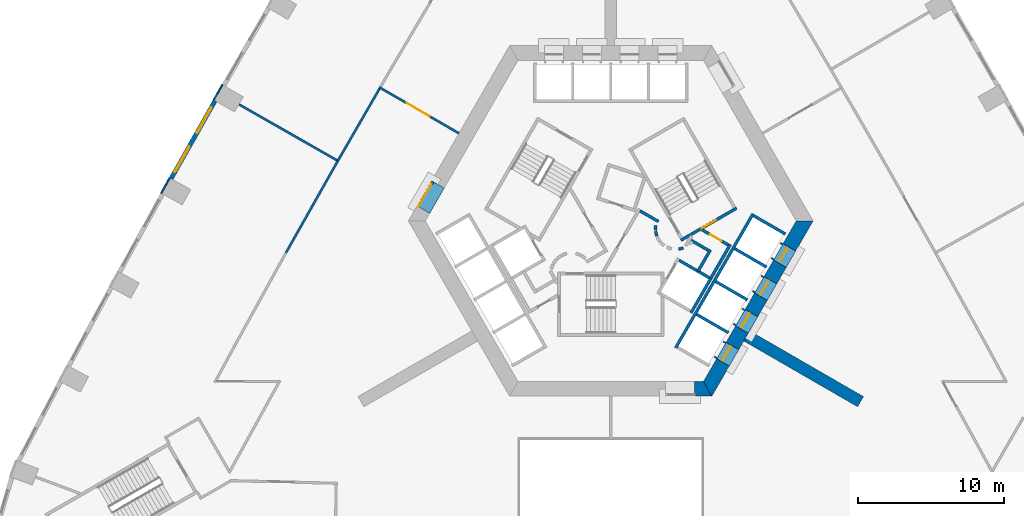
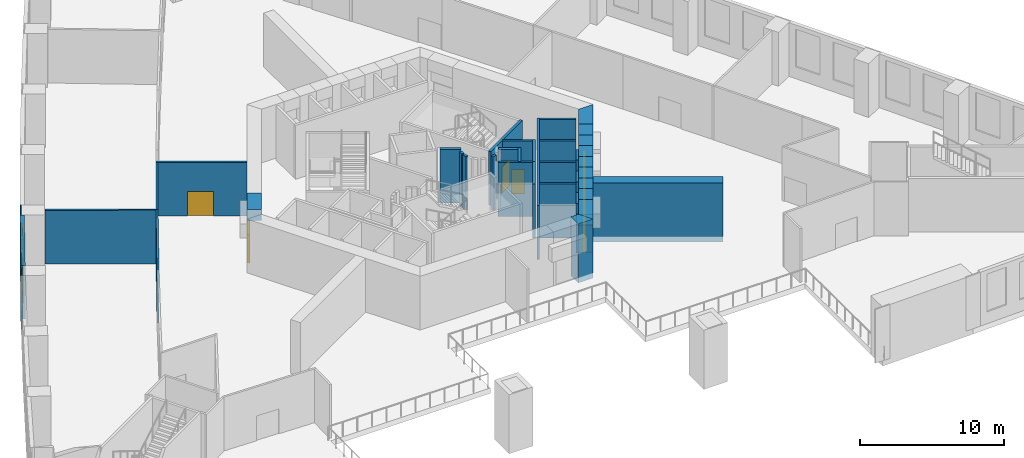
# One storey, part 4 of 16: 40 walls, 8 doors, 2 windows, 10 openings.
"""IFC4 building model written with IfcOpenShell, lengths in metres."""

from ifc_helpers import new_model, si_unit, direction, frame, frame_2d, origin, place, context, subcontext, project, spatial, polyline, rectangle, outline, extrude, material, layer, layer_set, type_object, element, fill, save


model = new_model("IFC4")

# Units and contexts
model_context = context("Model", 3, precision=1e-05, world=origin(), true_north=direction((0.0, 1.0)))
body_context = subcontext(model_context, "Body", "Model", "MODEL_VIEW")
ifc_project = project(units=[si_unit("LENGTHUNIT", "METRE"), si_unit("AREAUNIT", "SQUARE_METRE"), si_unit("VOLUMEUNIT", "CUBIC_METRE"), si_unit("PLANEANGLEUNIT", "RADIAN"), si_unit("MASSUNIT", "GRAM", prefix="KILO")], contexts=[model_context])

# Site, building, storey
site_placement = place(None, origin())
site = spatial("IfcSite", under=ifc_project, at=site_placement, CompositionType="ELEMENT")
building_placement = place(site_placement, origin())
building = spatial("IfcBuilding", under=site, at=building_placement, Name="Entoto Arch Interchange Tower", CompositionType="ELEMENT")
storey_placement = place(building_placement, frame((0.0, 0.0, 15.0)))
storey = spatial("IfcBuildingStorey", under=building, at=storey_placement, Name="L02", CompositionType="ELEMENT", Elevation=15.0)

# Wall
ifc_material_1 = material(Name="Concrete C60/75", Category="concrete")
ifc_layer_1 = layer(ifc_material_1, 0.800048828125)
ifc_layer_set_1 = layer_set([ifc_layer_1], Name="Concrete C60/75")
wall_type_1 = type_object("IfcWallType", Name="Buttress wall 800 C60/75", PredefinedType="SHEAR", material=ifc_layer_set_1)
wall_1_placement = place(storey_placement, frame((9.31005859375, -5.375, -0.449951171875), z_axis=(0.0, 0.0, 1.0), x_axis=(0.866017533419, -0.500013631625, 0.0)))
element("IfcWall", 1, at=wall_1_placement, inside=storey, type_object=wall_type_1, Name="Buttress wall SE L02", PredefinedType="SHEAR", context=body_context, shape_type="SweptSolid", body=[
    extrude(rectangle(XDim=8.999755859375, YDim=0.800048828125, at=frame_2d((4.5, 0.0))), origin(), (0.0, 0.0, 1.0), 5.0),
])

# Wall, opening, door
ifc_material_2 = material(Name="Reinforced concrete C40/50", Category="concrete")
ifc_layer_2 = layer(ifc_material_2, 0.199951171875)
ifc_layer_set_2 = layer_set([ifc_layer_2], Name="Reinforced concrete C40/50")
wall_type_2 = type_object("IfcWallType", Name="CORE GAP INFILL WALL", PredefinedType="PARTITIONING", material=ifc_layer_set_2)
wall_2_placement = place(storey_placement, frame((-12.179931640625, 5.201904296875, 0.0), z_axis=(0.0, 0.0, 1.0), x_axis=(-0.50002537861, -0.866010750942, 0.0)))
wall_2 = element("IfcWall", 2, at=wall_2_placement, inside=storey, type_object=wall_type_2, Name="wall:L02:gap3", PredefinedType="PARTITIONING", context=body_context, shape_type="SweptSolid", body=[
    extrude(rectangle(XDim=2.0, YDim=0.199951171875, at=frame_2d((1.0, 0.0))), origin(), (0.0, 0.0, 1.0), 2.39990234375),
])
opening_1_placement = place(wall_2_placement, frame((0.18994140625, 0.0, 0.0)))
opening_1 = element("IfcOpeningElement", 3, at=opening_1_placement, cuts=wall_2, Name="Opening L02-D93", PredefinedType="OPENING", context=body_context, shape_type="SweptSolid", body=[
    extrude(rectangle(XDim=1.800048828125, YDim=2.10009765625, at=frame_2d((0.89990234375, 1.050048828125))), frame((0.0, 0.10986328125, 0.0), z_axis=(0.0, -1.0, 0.0), x_axis=(1.0, 0.0, 0.0)), (0.0, 0.0, 1.0), 0.219970703125),
])
ifc_material_3 = material(Name="Fire-rated Steel S235 door and frame", Category="steel")
door_type_1 = type_object("IfcDoorType", Name="DOOR FD-18 1800x2100", OperationType="DOUBLE_DOOR_SINGLE_SWING", PredefinedType="DOOR", material=ifc_material_3)
door_1_placement = place(opening_1_placement, origin())
door_1 = element("IfcDoor", 4, at=door_1_placement, inside=storey, type_object=door_type_1, Name="door:L02:gap3", OperationType="DOUBLE_DOOR_SINGLE_SWING", OverallHeight=2.10009765625, OverallWidth=1.800048828125, PredefinedType="DOOR", context=body_context, shape_type="SweptSolid", body=[
    extrude(rectangle(XDim=1.800048828125, YDim=2.10009765625, at=frame_2d((0.89990234375, 1.050048828125))), frame((0.0, 0.02490234375, 0.0), z_axis=(0.0, -1.0, 0.0), x_axis=(1.0, 0.0, 0.0)), (0.0, 0.0, 1.0), 0.050048828125),
])
fill(opening_1, door_1)

# Walls
ifc_layer_3 = layer(ifc_material_1, 1.0)
ifc_layer_set_3 = layer_set([ifc_layer_3], Name="Concrete C60/75")
wall_type_3 = type_object("IfcWallType", Name="Core wall 1000 C60/75", PredefinedType="SHEAR", material=ifc_layer_set_3)
wall_3_placement = place(storey_placement, frame((0.0, 0.0, 3.60009765625)))
element("IfcWall", 5, at=wall_3_placement, inside=storey, type_object=wall_type_3, Name="Core wall lintel NW L02", PredefinedType="SHEAR", context=body_context, shape_type="SweptSolid", body=[
    extrude(outline(polyline([(-13.26708984375, 3.52001953125), (-12.402099609375, 3.02001953125), (-11.402099609375, 4.751953125), (-12.26708984375, 5.251953125), (-13.26708984375, 3.52001953125)])), origin(), (0.0, 0.0, 1.0), 0.949951171875),
])
wall_4_placement = place(storey_placement, frame((0.0, 0.0, -0.449951171875)))
element("IfcWall", 6, at=wall_4_placement, inside=storey, type_object=wall_type_3, Name="Core wall S L02", PredefinedType="SHEAR", context=body_context, shape_type="SweptSolid", body=[
    extrude(outline(polyline([(5.75, -8.5), (5.75, -9.5), (6.927978515625, -9.5), (6.35107421875, -8.5), (5.75, -8.5)])), origin(), (0.0, 0.0, 1.0), 5.0),
])
wall_5_placement = place(storey_placement, frame((0.0, 0.0, -0.449951171875)))
element("IfcWall", 7, at=wall_5_placement, inside=storey, type_object=wall_type_3, Name="Core wall SE L02", PredefinedType="SHEAR", context=body_context, shape_type="SweptSolid", body=[
    extrude(outline(polyline([(8.116943359375, -7.43994140625), (7.251953125, -6.93994140625), (6.35107421875, -8.5), (6.927978515625, -9.5), (8.116943359375, -7.43994140625)])), origin(), (0.0, 0.0, 1.0), 5.0),
])
wall_6_placement = place(storey_placement, frame((0.0, 0.0, -0.449951171875)))
element("IfcWall", 8, at=wall_6_placement, inside=storey, type_object=wall_type_3, Name="Core wall SE L02", PredefinedType="SHEAR", context=body_context, shape_type="SweptSolid", body=[
    extrude(outline(polyline([(9.4169921875, -5.18896484375), (8.551025390625, -4.68896484375), (7.902099609375, -5.81396484375), (8.76708984375, -6.31396484375), (9.4169921875, -5.18896484375)])), origin(), (0.0, 0.0, 1.0), 5.0),
])
wall_7_placement = place(storey_placement, frame((0.0, 0.0, -0.449951171875)))
element("IfcWall", 9, at=wall_7_placement, inside=storey, type_object=wall_type_3, Name="Core wall SE L02", PredefinedType="SHEAR", context=body_context, shape_type="SweptSolid", body=[
    extrude(outline(polyline([(10.717041015625, -2.93701171875), (9.85107421875, -2.43701171875), (9.200927734375, -3.56298828125), (10.06689453125, -4.06298828125), (10.717041015625, -2.93701171875)])), origin(), (0.0, 0.0, 1.0), 5.0),
])
wall_8_placement = place(storey_placement, frame((0.0, 0.0, -0.449951171875)))
element("IfcWall", 10, at=wall_8_placement, inside=storey, type_object=wall_type_3, Name="Core wall SE L02", PredefinedType="SHEAR", context=body_context, shape_type="SweptSolid", body=[
    extrude(outline(polyline([(12.01708984375, -0.68603515625), (11.15087890625, -0.18603515625), (10.5009765625, -1.31103515625), (11.366943359375, -1.81103515625), (12.01708984375, -0.68603515625)])), origin(), (0.0, 0.0, 1.0), 5.0),
])
wall_9_placement = place(storey_placement, frame((0.0, 0.0, -0.449951171875)))
element("IfcWall", 11, at=wall_9_placement, inside=storey, type_object=wall_type_3, Name="Core wall SE L02", PredefinedType="SHEAR", context=body_context, shape_type="SweptSolid", body=[
    extrude(outline(polyline([(11.801025390625, 0.93994140625), (12.6669921875, 0.43994140625), (13.85595703125, 2.5), (12.701904296875, 2.5), (11.801025390625, 0.93994140625)])), origin(), (0.0, 0.0, 1.0), 5.0),
])
wall_10_placement = place(storey_placement, frame((0.0, 0.0, 3.60009765625)))
element("IfcWall", 12, at=wall_10_placement, inside=storey, type_object=wall_type_3, Name="Core wall lintel SE L02", PredefinedType="SHEAR", context=body_context, shape_type="SweptSolid", body=[
    extrude(outline(polyline([(8.76708984375, -6.31396484375), (7.902099609375, -5.81396484375), (7.251953125, -6.93994140625), (8.116943359375, -7.43994140625), (8.76708984375, -6.31396484375)])), origin(), (0.0, 0.0, 1.0), 0.949951171875),
])
wall_11_placement = place(storey_placement, frame((0.0, 0.0, 3.60009765625)))
element("IfcWall", 13, at=wall_11_placement, inside=storey, type_object=wall_type_3, Name="Core wall lintel SE L02", PredefinedType="SHEAR", context=body_context, shape_type="SweptSolid", body=[
    extrude(outline(polyline([(10.06689453125, -4.06298828125), (9.200927734375, -3.56298828125), (8.551025390625, -4.68896484375), (9.4169921875, -5.18896484375), (10.06689453125, -4.06298828125)])), origin(), (0.0, 0.0, 1.0), 0.949951171875),
])
wall_12_placement = place(storey_placement, frame((0.0, 0.0, 3.60009765625)))
element("IfcWall", 14, at=wall_12_placement, inside=storey, type_object=wall_type_3, Name="Core wall lintel SE L02", PredefinedType="SHEAR", context=body_context, shape_type="SweptSolid", body=[
    extrude(outline(polyline([(11.366943359375, -1.81103515625), (10.5009765625, -1.31103515625), (9.85107421875, -2.43701171875), (10.717041015625, -2.93701171875), (11.366943359375, -1.81103515625)])), origin(), (0.0, 0.0, 1.0), 0.949951171875),
])
wall_13_placement = place(storey_placement, frame((0.0, 0.0, 3.60009765625)))
element("IfcWall", 15, at=wall_13_placement, inside=storey, type_object=wall_type_3, Name="Core wall lintel SE L02", PredefinedType="SHEAR", context=body_context, shape_type="SweptSolid", body=[
    extrude(outline(polyline([(12.6669921875, 0.43994140625), (11.801025390625, 0.93994140625), (11.15087890625, -0.18603515625), (12.01708984375, -0.68603515625), (12.6669921875, 0.43994140625)])), origin(), (0.0, 0.0, 1.0), 0.949951171875),
])

# Wall, opening, door
ifc_material_4 = material(Name="Concrete C40/50", Category="concrete")
ifc_layer_4 = layer(ifc_material_4, 1.199951171875)
ifc_layer_set_4 = layer_set([ifc_layer_4], Name="Concrete C40/50")
wall_type_4 = type_object("IfcWallType", Name="LIFT LANDING INFILL WALL", PredefinedType="STANDARD", material=ifc_layer_set_4)
wall_14_placement = place(storey_placement, frame((7.597900390625, -7.139892578125, 0.0), z_axis=(0.0, 0.0, 1.0), x_axis=(0.500362116554, 0.865816234728, 0.0)))
wall_14 = element("IfcWall", 16, at=wall_14_placement, inside=storey, type_object=wall_type_4, Name="Lift landing infill wall LR5 L02", PredefinedType="STANDARD", context=body_context, shape_type="SweptSolid", body=[
    extrude(rectangle(XDim=1.29931640625, YDim=1.199951171875, at=frame_2d((0.649658203125, 0.0))), origin(), (0.0, 0.0, 1.0), 2.39990234375),
])
opening_2_placement = place(wall_14_placement, frame((0.10009765625, 0.0, 0.0)))
opening_2 = element("IfcOpeningElement", 17, at=opening_2_placement, cuts=wall_14, Name="Opening LD-LR5-L02", PredefinedType="OPENING", context=body_context, shape_type="SweptSolid", body=[
    extrude(rectangle(XDim=1.10009765625, YDim=2.300048828125, at=frame_2d((0.550048828125, 1.14990234375))), frame((0.0, 0.60986328125, 0.0), z_axis=(0.0, -1.0, 0.0), x_axis=(1.0, 0.0, 0.0)), (0.0, 0.0, 1.0), 1.219970703125),
])
ifc_material_5 = material(Name="Stainless steel 1.4301 panels", Category="steel")
door_type_2 = type_object("IfcDoorType", Name="LIFT LANDING DOOR LD2 1100x2300", OperationType="SLIDING_TO_LEFT", PredefinedType="DOOR", material=ifc_material_5)
door_2_placement = place(opening_2_placement, origin())
door_2 = element("IfcDoor", 18, at=door_2_placement, inside=storey, type_object=door_type_2, Name="Lift landing door LR5 L02", OperationType="SLIDING_TO_LEFT", OverallHeight=2.300048828125, OverallWidth=1.10009765625, PredefinedType="DOOR", context=body_context, shape_type="SweptSolid", body=[
    extrude(rectangle(XDim=1.10009765625, YDim=2.300048828125, at=frame_2d((0.550048828125, 1.14990234375))), frame((0.0, 0.02490234375, 0.0), z_axis=(0.0, -1.0, 0.0), x_axis=(1.0, 0.0, 0.0)), (0.0, 0.0, 1.0), 0.050048828125),
])
fill(opening_2, door_2)

wall_15_placement = place(storey_placement, frame((8.89794921875, -4.888916015625, 0.0), z_axis=(0.0, 0.0, 1.0), x_axis=(0.500036693733, 0.866004217611, 0.0)))
wall_15 = element("IfcWall", 19, at=wall_15_placement, inside=storey, type_object=wall_type_4, Name="Lift landing infill wall LR6 L02", PredefinedType="STANDARD", context=body_context, shape_type="SweptSolid", body=[
    extrude(rectangle(XDim=1.30029296875, YDim=1.199951171875, at=frame_2d((0.650146484375, 0.0))), origin(), (0.0, 0.0, 1.0), 2.39990234375),
])
opening_3_placement = place(wall_15_placement, frame((0.10009765625, 0.0, 0.0)))
opening_3 = element("IfcOpeningElement", 20, at=opening_3_placement, cuts=wall_15, Name="Opening LD-LR6-L02", PredefinedType="OPENING", context=body_context, shape_type="SweptSolid", body=[
    extrude(rectangle(XDim=1.10009765625, YDim=2.300048828125, at=frame_2d((0.550048828125, 1.14990234375))), frame((0.0, 0.60986328125, 0.0), z_axis=(0.0, -1.0, 0.0), x_axis=(1.0, 0.0, 0.0)), (0.0, 0.0, 1.0), 1.219970703125),
])
door_3_placement = place(opening_3_placement, origin())
door_3 = element("IfcDoor", 21, at=door_3_placement, inside=storey, type_object=door_type_2, Name="Lift landing door LR6 L02", OperationType="SLIDING_TO_LEFT", OverallHeight=2.300048828125, OverallWidth=1.10009765625, PredefinedType="DOOR", context=body_context, shape_type="SweptSolid", body=[
    extrude(rectangle(XDim=1.10009765625, YDim=2.300048828125, at=frame_2d((0.550048828125, 1.14990234375))), frame((0.0, 0.02490234375, 0.0), z_axis=(0.0, -1.0, 0.0), x_axis=(1.0, 0.0, 0.0)), (0.0, 0.0, 1.0), 0.050048828125),
])
fill(opening_3, door_3)

wall_16_placement = place(storey_placement, frame((10.197998046875, -2.636962890625, 0.0), z_axis=(0.0, 0.0, 1.0), x_axis=(0.49989585183, 0.866085525409, 0.0)))
wall_16 = element("IfcWall", 22, at=wall_16_placement, inside=storey, type_object=wall_type_4, Name="Lift landing infill wall LR7 L02", PredefinedType="STANDARD", context=body_context, shape_type="SweptSolid", body=[
    extrude(rectangle(XDim=1.300048828125, YDim=1.199951171875, at=frame_2d((0.64990234375, 0.0))), origin(), (0.0, 0.0, 1.0), 2.39990234375),
])
opening_4_placement = place(wall_16_placement, frame((0.10009765625, 0.0, 0.0)))
opening_4 = element("IfcOpeningElement", 23, at=opening_4_placement, cuts=wall_16, Name="Opening LD-LR7-L02", PredefinedType="OPENING", context=body_context, shape_type="SweptSolid", body=[
    extrude(rectangle(XDim=1.10009765625, YDim=2.300048828125, at=frame_2d((0.550048828125, 1.14990234375))), frame((0.0, 0.60986328125, 0.0), z_axis=(0.0, -1.0, 0.0), x_axis=(1.0, 0.0, 0.0)), (0.0, 0.0, 1.0), 1.219970703125),
])
door_4_placement = place(opening_4_placement, origin())
door_4 = element("IfcDoor", 24, at=door_4_placement, inside=storey, type_object=door_type_2, Name="Lift landing door LR7 L02", OperationType="SLIDING_TO_LEFT", OverallHeight=2.300048828125, OverallWidth=1.10009765625, PredefinedType="DOOR", context=body_context, shape_type="SweptSolid", body=[
    extrude(rectangle(XDim=1.10009765625, YDim=2.300048828125, at=frame_2d((0.550048828125, 1.14990234375))), frame((0.0, 0.02490234375, 0.0), z_axis=(0.0, -1.0, 0.0), x_axis=(1.0, 0.0, 0.0)), (0.0, 0.0, 1.0), 0.050048828125),
])
fill(opening_4, door_4)

wall_17_placement = place(storey_placement, frame((11.498046875, -0.385009765625, 0.0), z_axis=(0.0, 0.0, 1.0), x_axis=(0.500221244143, 0.865897630733, 0.0)))
wall_17 = element("IfcWall", 25, at=wall_17_placement, inside=storey, type_object=wall_type_4, Name="Lift landing infill wall LR8 L02", PredefinedType="STANDARD", context=body_context, shape_type="SweptSolid", body=[
    extrude(rectangle(XDim=1.29931640625, YDim=1.199951171875, at=frame_2d((0.649658203125, 0.0))), origin(), (0.0, 0.0, 1.0), 2.39990234375),
])
opening_5_placement = place(wall_17_placement, frame((0.10009765625, 0.0, 0.0)))
opening_5 = element("IfcOpeningElement", 26, at=opening_5_placement, cuts=wall_17, Name="Opening LD-LR8-L02", PredefinedType="OPENING", context=body_context, shape_type="SweptSolid", body=[
    extrude(rectangle(XDim=1.10009765625, YDim=2.300048828125, at=frame_2d((0.550048828125, 1.14990234375))), frame((0.0, 0.60986328125, 0.0), z_axis=(0.0, -1.0, 0.0), x_axis=(1.0, 0.0, 0.0)), (0.0, 0.0, 1.0), 1.219970703125),
])
door_5_placement = place(opening_5_placement, origin())
door_5 = element("IfcDoor", 27, at=door_5_placement, inside=storey, type_object=door_type_2, Name="Lift landing door LR8 L02", OperationType="SLIDING_TO_LEFT", OverallHeight=2.300048828125, OverallWidth=1.10009765625, PredefinedType="DOOR", context=body_context, shape_type="SweptSolid", body=[
    extrude(rectangle(XDim=1.10009765625, YDim=2.300048828125, at=frame_2d((0.550048828125, 1.14990234375))), frame((0.0, 0.02490234375, 0.0), z_axis=(0.0, -1.0, 0.0), x_axis=(1.0, 0.0, 0.0)), (0.0, 0.0, 1.0), 0.050048828125),
])
fill(opening_5, door_5)

# Walls
ifc_layer_5 = layer(ifc_material_4, 0.199951171875)
ifc_layer_set_5 = layer_set([ifc_layer_5], Name="Concrete C40/50")
wall_type_5 = type_object("IfcWallType", Name="LIFT SHAFT WALL 200", PredefinedType="STANDARD", material=ifc_layer_set_5)
wall_18_placement = place(storey_placement, frame((5.491943359375, -3.7880859375, 0.0), z_axis=(0.0, 0.0, 1.0), x_axis=(0.500011755427, 0.866018616679, 0.0)))
element("IfcWall", 28, at=wall_18_placement, inside=storey, type_object=wall_type_5, Name="Shaft wall SE1 back", PredefinedType="STANDARD", context=body_context, shape_type="SweptSolid", body=[
    extrude(rectangle(XDim=2.80029296875, YDim=0.199951171875, at=frame_2d((1.400146484375, 0.0))), origin(), (0.0, 0.0, 1.0), 4.550048828125),
])
wall_19_placement = place(storey_placement, frame((4.677001953125, -0.199951171875, 0.0), z_axis=(0.0, 0.0, 1.0), x_axis=(0.865973769406, -0.500089422704, 0.0)))
element("IfcWall", 29, at=wall_19_placement, inside=storey, type_object=wall_type_5, Name="Shaft wall SE1 cross 2", PredefinedType="STANDARD", context=body_context, shape_type="SweptSolid", body=[
    extrude(rectangle(XDim=2.3994140625, YDim=0.199951171875, at=frame_2d((1.19970703125, 0.0))), origin(), (0.0, 0.0, 1.0), 4.550048828125),
])
wall_20_placement = place(storey_placement, frame((4.450927734375, -6.18994140625, 0.0), z_axis=(0.0, 0.0, 1.0), x_axis=(0.50000090737, 0.866024879913, 0.0)))
element("IfcWall", 30, at=wall_20_placement, inside=storey, type_object=wall_type_5, Name="Shaft wall SE3 front", PredefinedType="STANDARD", context=body_context, shape_type="SweptSolid", body=[
    extrude(rectangle(XDim=10.60009765625, YDim=0.199951171875, at=frame_2d((5.300048828125, 0.0))), origin(), (0.0, 0.0, 1.0), 4.550048828125),
])
for number, where, z_axis, x_axis, name in (
    (31, (5.887939453125, -3.902099609375, 0.0), (0.0, 0.0, 1.0), (0.866022959057, -0.500004234368, 0.0), "Shaft wall SE3 cross 2"),
    (32, (7.18798828125, -1.64990234375, 0.0), (0.0, 0.0, 1.0), (0.866022959057, -0.500004234368, 0.0), "Shaft wall SE3 cross 3"),
    (33, (8.488037109375, 0.60205078125, 0.0), (0.0, 0.0, 1.0), (0.866022959057, -0.500004234368, 0.0), "Shaft wall SE3 cross 4"),
):
    element("IfcWall", number, at=place(storey_placement, frame(where, z_axis=z_axis, x_axis=x_axis)), inside=storey, type_object=wall_type_5, Name=name, PredefinedType="STANDARD", context=body_context, shape_type="SweptSolid", body=[
        extrude(rectangle(XDim=2.5, YDim=0.199951171875, at=frame_2d((1.25, 0.0))), origin(), (0.0, 0.0, 1.0), 4.550048828125),
    ])
wall_21_placement = place(storey_placement, frame((9.7880859375, 2.85302734375, 0.0), z_axis=(0.0, 0.0, 1.0), x_axis=(0.865998541277, -0.500046524342, 0.0)))
element("IfcWall", 34, at=wall_21_placement, inside=storey, type_object=wall_type_5, Name="Shaft wall SE3 cross 5", PredefinedType="STANDARD", context=body_context, shape_type="SweptSolid", body=[
    extrude(rectangle(XDim=2.499755859375, YDim=0.199951171875, at=frame_2d((1.25, 0.0))), origin(), (0.0, 0.0, 1.0), 4.550048828125),
])
ifc_material_6 = material(Name="Gypsum board partition on steel studs", Category="steel")
ifc_layer_6 = layer(ifc_material_6, 0.14990234375)
ifc_layer_set_6 = layer_set([ifc_layer_6], Name="Gypsum board partition on steel studs")
wall_type_6 = type_object("IfcWallType", Name="PARTITION 150", PredefinedType="PARTITIONING", material=ifc_layer_set_6)
wall_22_placement = place(storey_placement, frame((-18.62109375, 6.580078125, 0.0), z_axis=(0.0, 0.0, 1.0), x_axis=(-0.86854328957, 0.495613311104, 0.0)))
element("IfcWall", 35, at=wall_22_placement, inside=storey, type_object=wall_type_6, Name="wall:L02:p065", PredefinedType="PARTITIONING", context=body_context, shape_type="SweptSolid", body=[
    extrude(rectangle(XDim=7.8544921875, YDim=0.14990234375, at=frame_2d((3.92724609375, 0.0))), origin(), (0.0, 0.0, 1.0), 4.550048828125),
])
wall_23_placement = place(storey_placement, frame((-15.833984375, 11.555908203125, 0.0), z_axis=(0.0, 0.0, 1.0), x_axis=(-0.500070759958, -0.865984546649, 0.0)))
element("IfcWall", 36, at=wall_23_placement, inside=storey, type_object=wall_type_6, Name="wall:L02:p069", PredefinedType="PARTITIONING", context=body_context, shape_type="SweptSolid", body=[
    extrude(rectangle(XDim=5.703369140625, YDim=0.14990234375, at=frame_2d((2.8515625, 0.0))), origin(), (0.0, 0.0, 1.0), 4.550048828125),
])
wall_24_placement = place(storey_placement, frame((-18.68701171875, 6.615966796875, 0.0), z_axis=(0.0, 0.0, 1.0), x_axis=(-0.491575368277, -0.870835034494, 0.0)))
element("IfcWall", 37, at=wall_24_placement, inside=storey, type_object=wall_type_6, Name="wall:L02:p070", PredefinedType="PARTITIONING", context=body_context, shape_type="SweptSolid", body=[
    extrude(rectangle(XDim=7.229736328125, YDim=0.14990234375, at=frame_2d((3.61474609375, 0.0))), origin(), (0.0, 0.0, 1.0), 4.550048828125),
])

# Wall, opening, door
wall_25_placement = place(storey_placement, frame((-10.39208984375, 8.5, 0.0), z_axis=(0.0, 0.0, 1.0), x_axis=(-0.865967369837, 0.500100504277, 0.0)))
wall_25 = element("IfcWall", 38, at=wall_25_placement, inside=storey, type_object=wall_type_6, Name="wall:L02:p078", PredefinedType="PARTITIONING", context=body_context, shape_type="SweptSolid", body=[
    extrude(rectangle(XDim=6.316650390625, YDim=0.14990234375, at=frame_2d((3.158203125, 0.0))), origin(), (0.0, 0.0, 1.0), 4.550048828125),
])
opening_6_placement = place(wall_25_placement, frame((2.330078125, 0.0, 0.0)))
opening_6 = element("IfcOpeningElement", 39, at=opening_6_placement, cuts=wall_25, Name="Opening L02-D01", PredefinedType="OPENING", context=body_context, shape_type="SweptSolid", body=[
    extrude(rectangle(XDim=1.800048828125, YDim=2.10009765625, at=frame_2d((0.89990234375, 1.050048828125))), frame((0.0, 0.0849609375, 0.0), z_axis=(0.0, -1.0, 0.0), x_axis=(1.0, 0.0, 0.0)), (0.0, 0.0, 1.0), 0.169921875),
])
door_6_placement = place(opening_6_placement, origin())
door_6 = element("IfcDoor", 40, at=door_6_placement, inside=storey, type_object=door_type_1, Name="door:L02:01", OperationType="DOUBLE_DOOR_SINGLE_SWING", OverallHeight=2.10009765625, OverallWidth=1.800048828125, PredefinedType="DOOR", context=body_context, shape_type="SweptSolid", body=[
    extrude(rectangle(XDim=1.800048828125, YDim=2.10009765625, at=frame_2d((0.89990234375, 1.050048828125))), frame((0.0, 0.02490234375, 0.0), z_axis=(0.0, -1.0, 0.0), x_axis=(1.0, 0.0, 0.0)), (0.0, 0.0, 1.0), 0.050048828125),
])
fill(opening_6, door_6)

# Walls
ifc_layer_7 = layer(ifc_material_6, 0.199951171875)
ifc_layer_set_7 = layer_set([ifc_layer_7], Name="Gypsum board partition on steel studs")
wall_type_7 = type_object("IfcWallType", Name="PARTITION 200", PredefinedType="PARTITIONING", material=ifc_layer_set_7)
wall_26_placement = place(storey_placement, frame((5.4990234375, 1.172119140625, 0.0), z_axis=(0.0, 0.0, 1.0), x_axis=(0.866333505267, -0.499465972466, 0.0)))
element("IfcWall", 41, at=wall_26_placement, inside=storey, type_object=wall_type_7, Name="wall:L02:p002", PredefinedType="PARTITIONING", context=body_context, shape_type="SweptSolid", body=[
    extrude(rectangle(XDim=1.37353515625, YDim=0.199951171875, at=frame_2d((0.686767578125, 0.0))), origin(), (0.0, 0.0, 1.0), 4.550048828125),
])
wall_27_placement = place(storey_placement, frame((6.825927734375, 0.52197265625, 0.0), z_axis=(0.0, 0.0, 1.0), x_axis=(-0.500016722714, -0.866015748706, 0.0)))
element("IfcWall", 42, at=wall_27_placement, inside=storey, type_object=wall_type_7, Name="wall:L02:p003", PredefinedType="PARTITIONING", context=body_context, shape_type="SweptSolid", body=[
    extrude(rectangle(XDim=1.69970703125, YDim=0.199951171875, at=frame_2d((0.849853515625, 0.0))), origin(), (0.0, 0.0, 1.0), 4.550048828125),
])
wall_28_placement = place(storey_placement, frame((8.19189453125, 0.887939453125, 0.0), z_axis=(0.0, 0.0, 1.0), x_axis=(-0.499940625693, -0.866059680843, 0.0)))
element("IfcWall", 43, at=wall_28_placement, inside=storey, type_object=wall_type_7, Name="wall:L02:p004", PredefinedType="PARTITIONING", context=body_context, shape_type="SweptSolid", body=[
    extrude(rectangle(XDim=2.679931640625, YDim=0.199951171875, at=frame_2d((1.33984375, 0.0))), origin(), (0.0, 0.0, 1.0), 4.550048828125),
])

# Wall, opening, door
wall_29_placement = place(storey_placement, frame((6.25, 1.89404296875, 0.0), z_axis=(0.0, 0.0, 1.0), x_axis=(0.866043184279, -0.499969202016, 0.0)))
wall_29 = element("IfcWall", 44, at=wall_29_placement, inside=storey, type_object=wall_type_7, Name="wall:L02:p006", PredefinedType="PARTITIONING", context=body_context, shape_type="SweptSolid", body=[
    extrude(rectangle(XDim=2.084228515625, YDim=0.199951171875, at=frame_2d((1.0419921875, 0.0))), origin(), (0.0, 0.0, 1.0), 4.550048828125),
])
opening_7_placement = place(wall_29_placement, frame((0.64208984375, 0.0, 0.0)))
opening_7 = element("IfcOpeningElement", 45, at=opening_7_placement, cuts=wall_29, Name="Opening L02-D14", PredefinedType="OPENING", context=body_context, shape_type="SweptSolid", body=[
    extrude(rectangle(XDim=0.89990234375, YDim=2.10009765625, at=frame_2d((0.449951171875, 1.050048828125))), frame((0.0, 0.10986328125, 0.0), z_axis=(0.0, -1.0, 0.0), x_axis=(1.0, 0.0, 0.0)), (0.0, 0.0, 1.0), 0.219970703125),
])
ifc_material_7 = material(Name="Timber door leaf in Steel S235 frame", Category="steel")
door_type_3 = type_object("IfcDoorType", Name="DOOR DS-09 900x2100", OperationType="SINGLE_SWING_LEFT", PredefinedType="DOOR", material=ifc_material_7)
door_7_placement = place(opening_7_placement, origin())
door_7 = element("IfcDoor", 46, at=door_7_placement, inside=storey, type_object=door_type_3, Name="door:L02:14", OperationType="SINGLE_SWING_LEFT", OverallHeight=2.10009765625, OverallWidth=0.89990234375, PredefinedType="DOOR", context=body_context, shape_type="SweptSolid", body=[
    extrude(rectangle(XDim=0.89990234375, YDim=2.10009765625, at=frame_2d((0.449951171875, 1.050048828125))), frame((0.0, 0.02490234375, 0.0), z_axis=(0.0, -1.0, 0.0), x_axis=(1.0, 0.0, 0.0)), (0.0, 0.0, 1.0), 0.050048828125),
])
fill(opening_7, door_7)

# Walls
wall_30_placement = place(storey_placement, frame((3.0791015625, 2.198974609375, 0.0), z_axis=(0.0, 0.0, 1.0), x_axis=(-0.047771483479, -0.998858290933, 0.0)))
element("IfcWall", 47, at=wall_30_placement, inside=storey, type_object=wall_type_7, Name="wall:L02:p016", PredefinedType="PARTITIONING", context=body_context, shape_type="SweptSolid", body=[
    extrude(rectangle(XDim=0.33740234375, YDim=0.199951171875, at=frame_2d((0.168701171875, 0.0))), origin(), (0.0, 0.0, 1.0), 4.550048828125),
])
wall_31_placement = place(storey_placement, frame((3.070068359375, 1.785888671875, 0.0), z_axis=(0.0, 0.0, 1.0), x_axis=(0.242705583207, -0.970099994784, 0.0)))
element("IfcWall", 48, at=wall_31_placement, inside=storey, type_object=wall_type_7, Name="wall:L02:p017", PredefinedType="PARTITIONING", context=body_context, shape_type="SweptSolid", body=[
    extrude(rectangle(XDim=0.337890625, YDim=0.199951171875, at=frame_2d((0.1689453125, 0.0))), origin(), (0.0, 0.0, 1.0), 4.550048828125),
])
wall_32_placement = place(storey_placement, frame((4.64404296875, 0.56396484375, 0.0), z_axis=(0.0, 0.0, 1.0), x_axis=(0.969929076366, 0.243387729394, 0.0)))
element("IfcWall", 49, at=wall_32_placement, inside=storey, type_object=wall_type_7, Name="wall:L02:p021", PredefinedType="PARTITIONING", context=body_context, shape_type="SweptSolid", body=[
    extrude(rectangle(XDim=0.337158203125, YDim=0.199951171875, at=frame_2d((0.16845703125, 0.0))), origin(), (0.0, 0.0, 1.0), 4.550048828125),
])
wall_33_placement = place(storey_placement, frame((2.011962890625, 3.18603515625, 0.0), z_axis=(0.0, 0.0, 1.0), x_axis=(0.865891012941, -0.500232699559, 0.0)))
element("IfcWall", 50, at=wall_33_placement, inside=storey, type_object=wall_type_7, Name="wall:L02:p023", PredefinedType="PARTITIONING", context=body_context, shape_type="SweptSolid", body=[
    extrude(rectangle(XDim=1.449462890625, YDim=0.199951171875, at=frame_2d((0.724609375, 0.0))), origin(), (0.0, 0.0, 1.0), 4.550048828125),
])

# Wall, opening, door
ifc_layer_8 = layer(ifc_material_4, 0.199951171875)
ifc_layer_set_8 = layer_set([ifc_layer_8], Name="Concrete C40/50")
wall_type_8 = type_object("IfcWallType", Name="STAIR ENCLOSURE WALL 200", PredefinedType="STANDARD", material=ifc_layer_set_8)
wall_34_placement = place(storey_placement, frame((4.805908203125, 1.176025390625, 0.0), z_axis=(0.0, 0.0, 1.0), x_axis=(0.866059941101, 0.499940174841, 0.0)))
wall_34 = element("IfcWall", 51, at=wall_34_placement, inside=storey, type_object=wall_type_8, Name="Stair wall ST-NE near", PredefinedType="STANDARD", context=body_context, shape_type="SweptSolid", body=[
    extrude(rectangle(XDim=4.400390625, YDim=0.199951171875, at=frame_2d((2.2001953125, 0.0))), origin(), (0.0, 0.0, 1.0), 4.550048828125),
])
opening_8_placement = place(wall_34_placement, frame((1.64990234375, 0.0, 0.0)))
opening_8 = element("IfcOpeningElement", 52, at=opening_8_placement, cuts=wall_34, Name="Opening SD-ST-NE-L02-E", PredefinedType="OPENING", context=body_context, shape_type="SweptSolid", body=[
    extrude(rectangle(XDim=1.10009765625, YDim=2.199951171875, at=frame_2d((0.550048828125, 1.10009765625))), frame((0.0, 0.10986328125, 0.0), z_axis=(0.0, -1.0, 0.0), x_axis=(1.0, 0.0, 0.0)), (0.0, 0.0, 1.0), 0.219970703125),
])
ifc_material_8 = material(Name="Steel S235", Category="steel")
door_type_4 = type_object("IfcDoorType", Name="STAIR DOOR SD1 1100x2200", OperationType="SINGLE_SWING_LEFT", PredefinedType="DOOR", material=ifc_material_8)
door_8_placement = place(opening_8_placement, origin())
door_8 = element("IfcDoor", 53, at=door_8_placement, inside=storey, type_object=door_type_4, Name="Stair door ST-NE L02 end", OperationType="SINGLE_SWING_LEFT", OverallHeight=2.199951171875, OverallWidth=1.10009765625, PredefinedType="DOOR", context=body_context, shape_type="SweptSolid", body=[
    extrude(rectangle(XDim=1.10009765625, YDim=2.199951171875, at=frame_2d((0.550048828125, 1.10009765625))), frame((0.0, 0.02490234375, 0.0), z_axis=(0.0, -1.0, 0.0), x_axis=(1.0, 0.0, 0.0)), (0.0, 0.0, 1.0), 0.050048828125),
])
fill(opening_8, door_8)

# Wall, openings, windows
ifc_material_9 = material(Name="Welded tuff (ignimbrite) cladding, warm buff", Category="masonry")
ifc_layer_9 = layer(ifc_material_9, 0.300048828125)
ifc_layer_set_9 = layer_set([ifc_layer_9], Name="Welded tuff (ignimbrite) cladding, warm buff")
wall_type_9 = type_object("IfcWallType", Name="STONE INFILL WALL 300", PredefinedType="STANDARD", material=ifc_layer_set_9)
wall_35_placement = place(storey_placement, frame((-27.10107421875, 10.72998046875, 0.0), z_axis=(0.0, 0.0, 1.0), x_axis=(-0.491661677717, -0.870786308267, 0.0)))
wall_35 = element("IfcWall", 54, at=wall_35_placement, inside=storey, type_object=wall_type_9, Name="Facade wall NW-06 L02", PredefinedType="STANDARD", context=body_context, shape_type="SweptSolid", body=[
    extrude(rectangle(XDim=6.1220703125, YDim=0.300048828125, at=frame_2d((3.06103515625, 0.0))), origin(), (0.0, 0.0, 1.0), 4.550048828125),
])
opening_9_placement = place(wall_35_placement, frame((0.531005859375, 0.0, 1.0)))
opening_9 = element("IfcOpeningElement", 55, at=opening_9_placement, cuts=wall_35, Name="Opening WP-E", PredefinedType="OPENING", context=body_context, shape_type="SweptSolid", body=[
    extrude(rectangle(XDim=2.0, YDim=3.199951171875, at=frame_2d((1.0, 1.60009765625))), frame((0.0, 0.16015625, 0.0), z_axis=(0.0, -1.0, 0.0), x_axis=(1.0, 0.0, 0.0)), (0.0, 0.0, 1.0), 0.320068359375),
])
opening_10_placement = place(wall_35_placement, frame((3.592041015625, 0.0, 1.0)))
opening_10 = element("IfcOpeningElement", 56, at=opening_10_placement, cuts=wall_35, Name="Opening WP-E", PredefinedType="OPENING", context=body_context, shape_type="SweptSolid", body=[
    extrude(rectangle(XDim=2.0, YDim=3.199951171875, at=frame_2d((1.0, 1.60009765625))), frame((0.0, 0.16015625, 0.0), z_axis=(0.0, -1.0, 0.0), x_axis=(1.0, 0.0, 0.0)), (0.0, 0.0, 1.0), 0.320068359375),
])
ifc_material_10 = material(Name="Clear glass, low-e double glazed", Category="glass")
window_type = type_object("IfcWindowType", Name="WINDOW WP-E 2000x3200", PartitioningType="DOUBLE_PANEL_VERTICAL", PredefinedType="WINDOW", material=ifc_material_10)
window_1_placement = place(opening_9_placement, origin())
window_1 = element("IfcWindow", 57, at=window_1_placement, inside=storey, type_object=window_type, Name="Window WP-E NW-06 L02", OverallHeight=3.199951171875, OverallWidth=2.0, PartitioningType="SINGLE_PANEL", PredefinedType="WINDOW", context=body_context, shape_type="SweptSolid", body=[
    extrude(rectangle(XDim=2.0, YDim=3.199951171875, at=frame_2d((1.0, 1.60009765625))), frame((0.0, 0.030029296875, 0.0), z_axis=(0.0, -1.0, 0.0), x_axis=(1.0, 0.0, 0.0)), (0.0, 0.0, 1.0), 0.06005859375),
])
fill(opening_9, window_1)
window_2_placement = place(opening_10_placement, origin())
window_2 = element("IfcWindow", 58, at=window_2_placement, inside=storey, type_object=window_type, Name="Window WP-E NW-06 L02", OverallHeight=3.199951171875, OverallWidth=2.0, PartitioningType="SINGLE_PANEL", PredefinedType="WINDOW", context=body_context, shape_type="SweptSolid", body=[
    extrude(rectangle(XDim=2.0, YDim=3.199951171875, at=frame_2d((1.0, 1.60009765625))), frame((0.0, 0.030029296875, 0.0), z_axis=(0.0, -1.0, 0.0), x_axis=(1.0, 0.0, 0.0)), (0.0, 0.0, 1.0), 0.06005859375),
])
fill(opening_10, window_2)

# Walls
ifc_layer_10 = layer(ifc_material_9, 0.10009765625)
ifc_layer_set_10 = layer_set([ifc_layer_10], Name="Welded tuff (ignimbrite) cladding, warm buff")
wall_type_10 = type_object("IfcWallType", Name="STONE PIER CLADDING 100", PredefinedType="STANDARD", material=ifc_layer_set_10)
wall_36_placement = place(storey_placement, frame((-26.595947265625, 11.822021484375, 0.0), z_axis=(0.0, 0.0, 1.0), x_axis=(-0.495854054996, -0.868405870629, 0.0)))
element("IfcWall", 59, at=wall_36_placement, inside=storey, type_object=wall_type_10, Name="Stone pier NW06 L02", PredefinedType="STANDARD", context=body_context, shape_type="SweptSolid", body=[
    extrude(rectangle(XDim=1.199951171875, YDim=0.10009765625, at=frame_2d((0.60009765625, 0.0))), origin(), (0.0, 0.0, 1.0), 4.550048828125),
])
wall_37_placement = place(storey_placement, frame((-30.199951171875, 5.449951171875, 0.0), z_axis=(0.0, 0.0, 1.0), x_axis=(-0.486817526853, -0.873503689488, 0.0)))
element("IfcWall", 60, at=wall_37_placement, inside=storey, type_object=wall_type_10, Name="Stone pier NW07 L02", PredefinedType="STANDARD", context=body_context, shape_type="SweptSolid", body=[
    extrude(rectangle(XDim=1.19970703125, YDim=0.10009765625, at=frame_2d((0.599853515625, 0.0))), origin(), (0.0, 0.0, 1.0), 4.550048828125),
])

save(model, "model.ifc")
